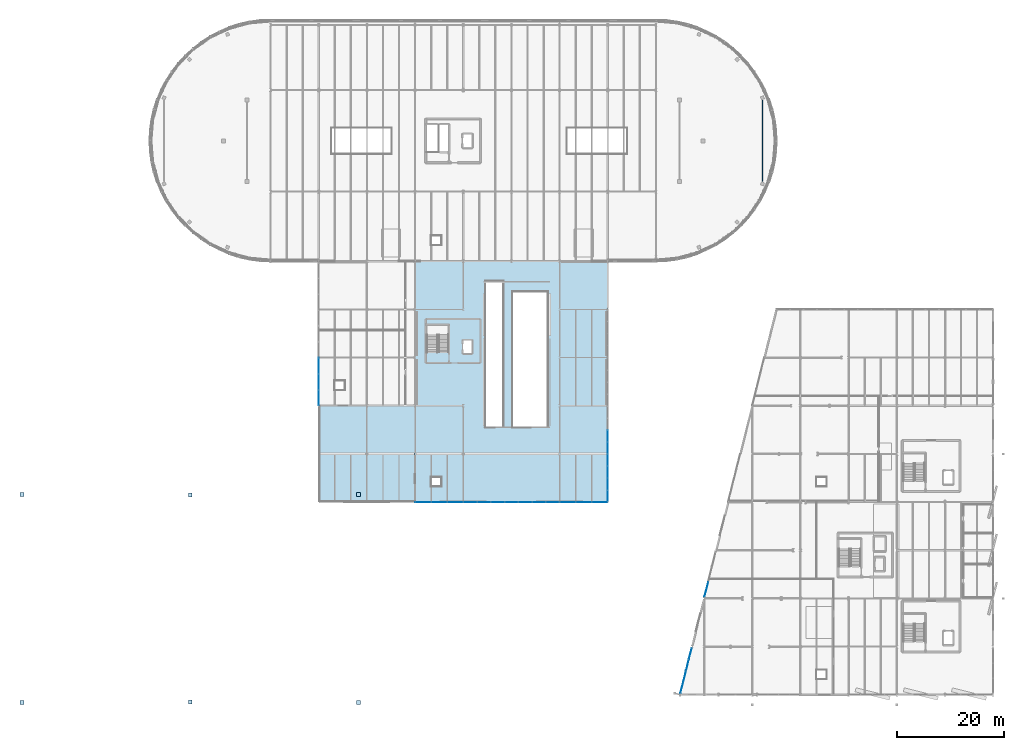
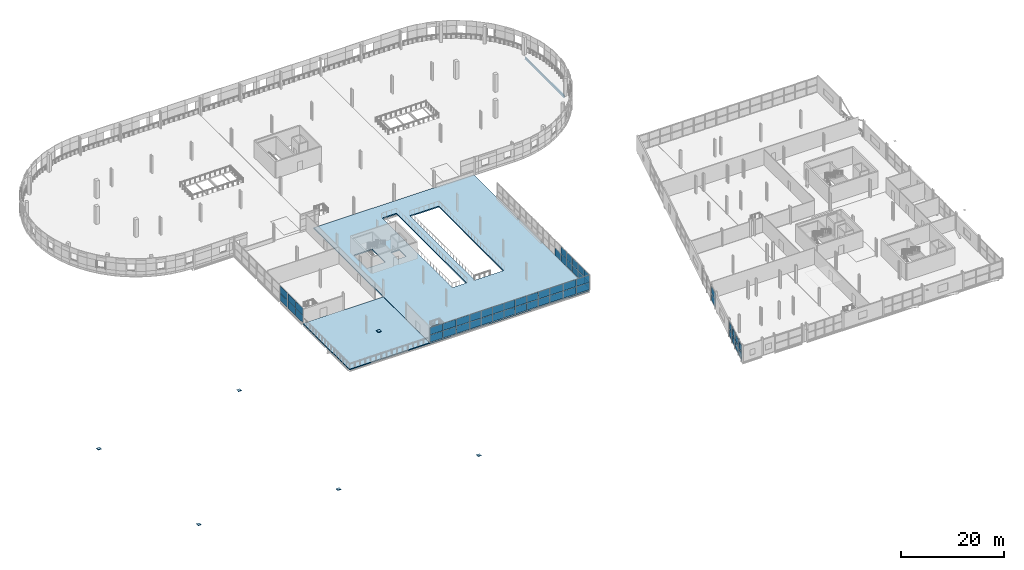
# One storey, part 64 of 88: 59 plates, 2 slabs, 1 beam, 8 elements without a shape of their own.
"""IFC4 building model written with IfcOpenShell, lengths in metres."""

from ifc_helpers import new_model, si_unit, direction, frame, origin, origin_2d, place, context, subcontext, project, spatial, polyline, rectangle, i_section, outline, extrude, material, layer, layer_set, material_profile, profile_set, type_object, element, aggregate, save


model = new_model("IFC4")

# Units and contexts
model_context = context("Model", 3, precision=1e-05, world=origin(), true_north=direction((0.0, 1.0)))
body_context = subcontext(model_context, "Body", "Model", "MODEL_VIEW")
ifc_project = project(units=[si_unit("LENGTHUNIT", "METRE"), si_unit("AREAUNIT", "SQUARE_METRE"), si_unit("VOLUMEUNIT", "CUBIC_METRE"), si_unit("PLANEANGLEUNIT", "RADIAN"), si_unit("MASSUNIT", "GRAM", prefix="KILO")], contexts=[model_context])

# Site, building, storey
site_placement = place(None, origin())
site = spatial("IfcSite", under=ifc_project, at=site_placement, CompositionType="ELEMENT")
building_placement = place(site_placement, origin())
building = spatial("IfcBuilding", under=site, at=building_placement, Name="Deido Ridge Mobility Hub", CompositionType="ELEMENT")
storey_placement = place(building_placement, frame((0.0, 0.0, 16.800048828125)))
storey = spatial("IfcBuildingStorey", under=building, at=storey_placement, Name="L04", CompositionType="ELEMENT", Elevation=16.800048828125)

# Beam
ifc_material_1 = material(Name="Steel S355J2 EN 10025-2", Category="steel")
ifc_material_profile = material_profile(ifc_material_1, i_section(OverallWidth=0.219970703125, OverallDepth=0.60009765625, WebThickness=0.011962890625, FlangeThickness=0.01904296875, FilletRadius=0.02392578125, at=origin_2d()), Name="IPE 600")
ifc_profile_set = profile_set([ifc_material_profile], Name="Steel S355J2 EN 10025-2")
beam_type = type_object("IfcBeamType", Name="BM-IPE600", PredefinedType="BEAM", material=ifc_profile_set)
beam_placement = place(storey_placement, frame((136.889892578125, 95.8505859375, -0.574951171875), z_axis=(0.0, 1.0, 0.0), x_axis=(-1.0, 0.0, 0.0)))
element("IfcBeam", 1, at=beam_placement, inside=storey, type_object=beam_type, Name="Floor beam B1", PredefinedType="BEAM", context=body_context, shape_type="SweptSolid", body=[
    extrude(i_section(OverallWidth=0.219970703125, OverallDepth=0.60009765625, WebThickness=0.011962890625, FlangeThickness=0.01904296875, FilletRadius=0.02392578125, at=origin_2d()), origin(), (0.0, 0.0, 1.0), 15.298828125),
])

# Plates
ifc_layer_1 = layer(ifc_material_1, 0.030029296875, Name="Steel S355J2 EN 10025-2")
ifc_layer_set_1 = layer_set([ifc_layer_1], Name="Steel S355J2 EN 10025-2")
plate_type_1 = type_object("IfcPlateType", Name="PLT-CAP-30", PredefinedType="USERDEFINED", material=ifc_layer_set_1)
for number, where, z_axis, x_axis, name in (
    (2, (-1.449951171875, -1.449951171875, 5.2998046875), (0.0, 0.0, 1.0), (1.0, 0.0, 0.0), "Roof mast M1 head cap plate"),
    (3, (61.449951171875, -1.449951171875, -0.30029296875), (0.0, 0.0, 1.0), (1.0, 0.0, 0.0), "Roof mast M2 head cap plate"),
    (4, (61.449951171875, 37.449951171875, 5.60009765625), (0.0, 0.0, 1.0), (1.0, 0.0, 0.0), "Roof mast M3 head cap plate"),
    (5, (-1.449951171875, 37.449951171875, -0.30029296875), (0.0, 0.0, 1.0), (1.0, 0.0, 0.0), "Roof mast M4 head cap plate"),
    (6, (30.0, -1.35009765625, 2.60009765625), (0.0, 0.0, 1.0), (1.0, 0.0, 0.0), "Roof mast M5 head cap plate"),
    (7, (30.0, 37.35009765625, 2.60009765625), (0.0, 0.0, 1.0), (1.0, 0.0, 0.0), "Roof mast M6 head cap plate"),
):
    element("IfcPlate", number, at=place(storey_placement, frame(where, z_axis=z_axis, x_axis=x_axis)), inside=storey, type_object=plate_type_1, Name=name, ObjectType="END CAP PLATE", PredefinedType="USERDEFINED", context=body_context, shape_type="SweptSolid", body=[
        extrude(rectangle(XDim=0.719970703125, YDim=0.719970703125, at=origin_2d()), origin(), (0.0, 0.0, 1.0), 0.030029296875),
    ])

# Curtain wall, plates
ifc_material_2 = material(Name="Anodised aluminium EN AW-6063 T6", Category="aluminium")
ifc_layer_2 = layer(ifc_material_2, 0.179931640625, Name="Anodised aluminium EN AW-6063 T6")
ifc_layer_set_2 = layer_set([ifc_layer_2], Name="Anodised aluminium EN AW-6063 T6")
curtain_wall_type_1 = type_object("IfcCurtainWallType", Name="CW-UF-2", PredefinedType="USERDEFINED", material=ifc_layer_set_2)
curtain_wall_1_placement = place(storey_placement, origin())
curtain_wall_1 = element("IfcCurtainWall", 8, at=curtain_wall_1_placement, inside=storey, type_object=curtain_wall_type_1, Name="Unitised curtain wall CW2", ObjectType="UNITISED FACADE", PredefinedType="USERDEFINED")
ifc_material_3 = material(Name="Laminated solar-control low-E glass", Category="glass")
ifc_layer_3 = layer(ifc_material_3, 0.02587890625, Name="Laminated solar-control low-E glass")
ifc_layer_set_3 = layer_set([ifc_layer_3], Name="Laminated solar-control low-E glass")
plate_type_2 = type_object("IfcPlateType", Name="PLT-CWP-26", PredefinedType="CURTAIN_PANEL", material=ifc_layer_set_3)
plate_1_placement = place(storey_placement, frame((121.83056640625, 1.322509765625, 0.0498046875), z_axis=(0.0, 0.0, 1.0), x_axis=(0.242530257651, 0.970143841976, 0.0)))
plate_1 = element("IfcPlate", 9, at=plate_1_placement, type_object=plate_type_2, Name="CW2 panel 1.1", PredefinedType="CURTAIN_PANEL", context=body_context, shape_type="SweptSolid", body=[
    extrude(rectangle(XDim=2.116943359375, YDim=0.02587890625, at=origin_2d()), origin(), (0.0, 0.0, 1.0), 1.72509765625),
])
plate_2_placement = place(storey_placement, frame((121.83056640625, 1.322509765625, 1.824951171875), z_axis=(0.0, 0.0, 1.0), x_axis=(0.242530257651, 0.970143841976, 0.0)))
plate_2 = element("IfcPlate", 10, at=plate_2_placement, type_object=plate_type_2, Name="CW2 panel 1.2", PredefinedType="CURTAIN_PANEL", context=body_context, shape_type="SweptSolid", body=[
    extrude(rectangle(XDim=2.116943359375, YDim=0.02587890625, at=origin_2d()), origin(), (0.0, 0.0, 1.0), 1.72509765625),
])
plate_3_placement = place(storey_placement, frame((122.359130859375, 3.436767578125, 0.0498046875), z_axis=(0.0, 0.0, 1.0), x_axis=(0.242530257651, 0.970143841976, 0.0)))
plate_3 = element("IfcPlate", 11, at=plate_3_placement, type_object=plate_type_2, Name="CW2 panel 2.1", PredefinedType="CURTAIN_PANEL", context=body_context, shape_type="SweptSolid", body=[
    extrude(rectangle(XDim=2.141845703125, YDim=0.02587890625, at=origin_2d()), origin(), (0.0, 0.0, 1.0), 1.72509765625),
])
plate_4_placement = place(storey_placement, frame((122.359130859375, 3.436767578125, 1.824951171875), z_axis=(0.0, 0.0, 1.0), x_axis=(0.242530257651, 0.970143841976, 0.0)))
plate_4 = element("IfcPlate", 12, at=plate_4_placement, type_object=plate_type_2, Name="CW2 panel 2.2", PredefinedType="CURTAIN_PANEL", context=body_context, shape_type="SweptSolid", body=[
    extrude(rectangle(XDim=2.141845703125, YDim=0.02587890625, at=origin_2d()), origin(), (0.0, 0.0, 1.0), 1.72509765625),
])
plate_5_placement = place(storey_placement, frame((122.890869140625, 5.563232421875, 0.0498046875), z_axis=(0.0, 0.0, 1.0), x_axis=(0.242530257651, 0.970143841976, 0.0)))
plate_5 = element("IfcPlate", 13, at=plate_5_placement, type_object=plate_type_2, Name="CW2 panel 3.1", PredefinedType="CURTAIN_PANEL", context=body_context, shape_type="SweptSolid", body=[
    extrude(rectangle(XDim=2.141845703125, YDim=0.02587890625, at=origin_2d()), origin(), (0.0, 0.0, 1.0), 1.72509765625),
])
plate_6_placement = place(storey_placement, frame((122.890869140625, 5.563232421875, 1.824951171875), z_axis=(0.0, 0.0, 1.0), x_axis=(0.242530257651, 0.970143841976, 0.0)))
plate_6 = element("IfcPlate", 14, at=plate_6_placement, type_object=plate_type_2, Name="CW2 panel 3.2", PredefinedType="CURTAIN_PANEL", context=body_context, shape_type="SweptSolid", body=[
    extrude(rectangle(XDim=2.141845703125, YDim=0.02587890625, at=origin_2d()), origin(), (0.0, 0.0, 1.0), 1.72509765625),
])
plate_7_placement = place(storey_placement, frame((123.41943359375, 7.677490234375, 0.0498046875), z_axis=(0.0, 0.0, 1.0), x_axis=(0.242530257651, 0.970143841976, 0.0)))
plate_7 = element("IfcPlate", 15, at=plate_7_placement, type_object=plate_type_2, Name="CW2 panel 4.1", PredefinedType="CURTAIN_PANEL", context=body_context, shape_type="SweptSolid", body=[
    extrude(rectangle(XDim=2.116943359375, YDim=0.02587890625, at=origin_2d()), origin(), (0.0, 0.0, 1.0), 1.72509765625),
])
plate_8_placement = place(storey_placement, frame((123.41943359375, 7.677490234375, 1.824951171875), z_axis=(0.0, 0.0, 1.0), x_axis=(0.242530257651, 0.970143841976, 0.0)))
plate_8 = element("IfcPlate", 16, at=plate_8_placement, type_object=plate_type_2, Name="CW2 panel 4.2", PredefinedType="CURTAIN_PANEL", context=body_context, shape_type="SweptSolid", body=[
    extrude(rectangle(XDim=2.116943359375, YDim=0.02587890625, at=origin_2d()), origin(), (0.0, 0.0, 1.0), 1.72509765625),
])
aggregate(curtain_wall_1, [plate_1, plate_2, plate_3, plate_4, plate_5, plate_6, plate_7, plate_8])

ifc_layer_4 = layer(ifc_material_2, 0.2099609375, Name="Anodised aluminium EN AW-6063 T6")
ifc_layer_set_4 = layer_set([ifc_layer_4], Name="Anodised aluminium EN AW-6063 T6")
curtain_wall_type_2 = type_object("IfcCurtainWallType", Name="CW-UF-4", PredefinedType="USERDEFINED", material=ifc_layer_set_4)
curtain_wall_2_placement = place(storey_placement, origin())
curtain_wall_2 = element("IfcCurtainWall", 17, at=curtain_wall_2_placement, inside=storey, type_object=curtain_wall_type_2, Name="Unitised curtain wall CW4", ObjectType="UNITISED FACADE", PredefinedType="USERDEFINED")
ifc_layer_5 = layer(ifc_material_3, 0.031005859375, Name="Laminated solar-control low-E glass")
ifc_layer_set_5 = layer_set([ifc_layer_5], Name="Laminated solar-control low-E glass")
plate_type_3 = type_object("IfcPlateType", Name="PLT-CWP-31", PredefinedType="CURTAIN_PANEL", material=ifc_layer_set_5)
plate_9_placement = place(storey_placement, frame((126.416748046875, 19.66650390625, 0.06005859375), z_axis=(0.0, 0.0, 1.0), x_axis=(0.242530267235, 0.97014383958, 0.0)))
plate_9 = element("IfcPlate", 18, at=plate_9_placement, type_object=plate_type_3, Name="CW4 panel 1.1", PredefinedType="CURTAIN_PANEL", context=body_context, shape_type="SweptSolid", body=[
    extrude(rectangle(XDim=2.837646484375, YDim=0.031005859375, at=origin_2d()), origin(), (0.0, 0.0, 1.0), 1.652587890625),
])
plate_10_placement = place(storey_placement, frame((126.416748046875, 19.66650390625, 1.7724609375), z_axis=(0.0, 0.0, 1.0), x_axis=(0.242530267235, 0.97014383958, 0.0)))
plate_10 = element("IfcPlate", 19, at=plate_10_placement, type_object=plate_type_3, Name="CW4 panel 1.2", PredefinedType="CURTAIN_PANEL", context=body_context, shape_type="SweptSolid", body=[
    extrude(rectangle(XDim=2.837646484375, YDim=0.031005859375, at=origin_2d()), origin(), (0.0, 0.0, 1.0), 1.652587890625),
])
aggregate(curtain_wall_2, [plate_9, plate_10])

curtain_wall_3_placement = place(storey_placement, origin())
curtain_wall_3 = element("IfcCurtainWall", 20, at=curtain_wall_3_placement, inside=storey, type_object=curtain_wall_type_2, Name="Unitised curtain wall CW4", ObjectType="UNITISED FACADE", PredefinedType="USERDEFINED")
ifc_layer_6 = layer(ifc_material_3, 0.032958984375, Name="Laminated solar-control low-E glass")
ifc_layer_set_6 = layer_set([ifc_layer_6], Name="Laminated solar-control low-E glass")
plate_type_4 = type_object("IfcPlateType", Name="PLT-CWP-33", PredefinedType="CURTAIN_PANEL", material=ifc_layer_set_6)
plate_11_placement = place(storey_placement, frame((108.0, 37.141357421875, 0.06494140625), z_axis=(0.0, 0.0, 1.0), x_axis=(0.0, 1.0, 0.0)))
plate_11 = element("IfcPlate", 21, at=plate_11_placement, type_object=plate_type_4, Name="CW4 panel 1.1", PredefinedType="CURTAIN_PANEL", context=body_context, shape_type="SweptSolid", body=[
    extrude(rectangle(XDim=2.152587890625, YDim=0.032958984375, at=origin_2d()), origin(), (0.0, 0.0, 1.0), 1.702392578125),
])
plate_12_placement = place(storey_placement, frame((108.0, 37.141357421875, 1.83251953125), z_axis=(0.0, 0.0, 1.0), x_axis=(0.0, 1.0, 0.0)))
plate_12 = element("IfcPlate", 22, at=plate_12_placement, type_object=plate_type_4, Name="CW4 panel 1.2", PredefinedType="CURTAIN_PANEL", context=body_context, shape_type="SweptSolid", body=[
    extrude(rectangle(XDim=2.152587890625, YDim=0.032958984375, at=origin_2d()), origin(), (0.0, 0.0, 1.0), 1.702392578125),
])
plate_13_placement = place(storey_placement, frame((108.0, 39.375, 0.06494140625), z_axis=(0.0, 0.0, 1.0), x_axis=(0.0, 1.0, 0.0)))
plate_13 = element("IfcPlate", 23, at=plate_13_placement, type_object=plate_type_4, Name="CW4 panel 2.1", PredefinedType="CURTAIN_PANEL", context=body_context, shape_type="SweptSolid", body=[
    extrude(rectangle(XDim=2.18505859375, YDim=0.032958984375, at=origin_2d()), origin(), (0.0, 0.0, 1.0), 1.702392578125),
])
plate_14_placement = place(storey_placement, frame((108.0, 39.375, 1.83251953125), z_axis=(0.0, 0.0, 1.0), x_axis=(0.0, 1.0, 0.0)))
plate_14 = element("IfcPlate", 24, at=plate_14_placement, type_object=plate_type_4, Name="CW4 panel 2.2", PredefinedType="CURTAIN_PANEL", context=body_context, shape_type="SweptSolid", body=[
    extrude(rectangle(XDim=2.18505859375, YDim=0.032958984375, at=origin_2d()), origin(), (0.0, 0.0, 1.0), 1.702392578125),
])
plate_15_placement = place(storey_placement, frame((108.0, 41.625, 0.06494140625), z_axis=(0.0, 0.0, 1.0), x_axis=(0.0, 1.0, 0.0)))
plate_15 = element("IfcPlate", 25, at=plate_15_placement, type_object=plate_type_4, Name="CW4 panel 3.1", PredefinedType="CURTAIN_PANEL", context=body_context, shape_type="SweptSolid", body=[
    extrude(rectangle(XDim=2.18505859375, YDim=0.032958984375, at=origin_2d()), origin(), (0.0, 0.0, 1.0), 1.702392578125),
])
plate_16_placement = place(storey_placement, frame((108.0, 41.625, 1.83251953125), z_axis=(0.0, 0.0, 1.0), x_axis=(0.0, 1.0, 0.0)))
plate_16 = element("IfcPlate", 26, at=plate_16_placement, type_object=plate_type_4, Name="CW4 panel 3.2", PredefinedType="CURTAIN_PANEL", context=body_context, shape_type="SweptSolid", body=[
    extrude(rectangle(XDim=2.18505859375, YDim=0.032958984375, at=origin_2d()), origin(), (0.0, 0.0, 1.0), 1.702392578125),
])
plate_17_placement = place(storey_placement, frame((108.0, 43.858642578125, 0.06494140625), z_axis=(0.0, 0.0, 1.0), x_axis=(0.0, 1.0, 0.0)))
plate_17 = element("IfcPlate", 27, at=plate_17_placement, type_object=plate_type_4, Name="CW4 panel 4.1", PredefinedType="CURTAIN_PANEL", context=body_context, shape_type="SweptSolid", body=[
    extrude(rectangle(XDim=2.152587890625, YDim=0.032958984375, at=origin_2d()), origin(), (0.0, 0.0, 1.0), 1.702392578125),
])
plate_18_placement = place(storey_placement, frame((108.0, 43.858642578125, 1.83251953125), z_axis=(0.0, 0.0, 1.0), x_axis=(0.0, 1.0, 0.0)))
plate_18 = element("IfcPlate", 28, at=plate_18_placement, type_object=plate_type_4, Name="CW4 panel 4.2", PredefinedType="CURTAIN_PANEL", context=body_context, shape_type="SweptSolid", body=[
    extrude(rectangle(XDim=2.152587890625, YDim=0.032958984375, at=origin_2d()), origin(), (0.0, 0.0, 1.0), 1.702392578125),
])
aggregate(curtain_wall_3, [plate_11, plate_12, plate_13, plate_14, plate_15, plate_16, plate_17, plate_18])

curtain_wall_4_placement = place(storey_placement, origin())
curtain_wall_4 = element("IfcCurtainWall", 29, at=curtain_wall_4_placement, inside=storey, type_object=curtain_wall_type_2, Name="Unitised curtain wall CW4", ObjectType="UNITISED FACADE", PredefinedType="USERDEFINED")
plate_19_placement = place(storey_placement, frame((108.0, 46.141357421875, 0.06494140625), z_axis=(0.0, 0.0, 1.0), x_axis=(0.0, 1.0, 0.0)))
plate_19 = element("IfcPlate", 30, at=plate_19_placement, type_object=plate_type_4, Name="CW4 panel 1.1", PredefinedType="CURTAIN_PANEL", context=body_context, shape_type="SweptSolid", body=[
    extrude(rectangle(XDim=2.152587890625, YDim=0.032958984375, at=origin_2d()), origin(), (0.0, 0.0, 1.0), 1.702392578125),
])
plate_20_placement = place(storey_placement, frame((108.0, 46.141357421875, 1.83251953125), z_axis=(0.0, 0.0, 1.0), x_axis=(0.0, 1.0, 0.0)))
plate_20 = element("IfcPlate", 31, at=plate_20_placement, type_object=plate_type_4, Name="CW4 panel 1.2", PredefinedType="CURTAIN_PANEL", context=body_context, shape_type="SweptSolid", body=[
    extrude(rectangle(XDim=2.152587890625, YDim=0.032958984375, at=origin_2d()), origin(), (0.0, 0.0, 1.0), 1.702392578125),
])
plate_21_placement = place(storey_placement, frame((108.0, 48.375, 0.06494140625), z_axis=(0.0, 0.0, 1.0), x_axis=(0.0, 1.0, 0.0)))
plate_21 = element("IfcPlate", 32, at=plate_21_placement, type_object=plate_type_4, Name="CW4 panel 2.1", PredefinedType="CURTAIN_PANEL", context=body_context, shape_type="SweptSolid", body=[
    extrude(rectangle(XDim=2.18505859375, YDim=0.032958984375, at=origin_2d()), origin(), (0.0, 0.0, 1.0), 1.702392578125),
])
aggregate(curtain_wall_4, [plate_19, plate_20, plate_21])

ifc_layer_7 = layer(ifc_material_2, 0.22509765625, Name="Anodised aluminium EN AW-6063 T6")
ifc_layer_set_7 = layer_set([ifc_layer_7], Name="Anodised aluminium EN AW-6063 T6")
curtain_wall_type_3 = type_object("IfcCurtainWallType", Name="CW-UF-5", PredefinedType="USERDEFINED", material=ifc_layer_set_7)
curtain_wall_5_placement = place(storey_placement, origin())
curtain_wall_5 = element("IfcCurtainWall", 33, at=curtain_wall_5_placement, inside=storey, type_object=curtain_wall_type_3, Name="Unitised curtain wall CW5", ObjectType="UNITISED FACADE", PredefinedType="USERDEFINED")
ifc_layer_8 = layer(ifc_material_3, 0.034912109375, Name="Laminated solar-control low-E glass")
ifc_layer_set_8 = layer_set([ifc_layer_8], Name="Laminated solar-control low-E glass")
plate_type_5 = type_object("IfcPlateType", Name="PLT-CWP-35", PredefinedType="CURTAIN_PANEL", material=ifc_layer_set_8)
plate_22_placement = place(storey_placement, frame((73.517578125, 36.0, 0.06982421875), z_axis=(0.0, 0.0, 1.0), x_axis=(1.0, 0.0, 0.0)))
plate_22 = element("IfcPlate", 34, at=plate_22_placement, type_object=plate_type_5, Name="CW5 panel 1.1", PredefinedType="CURTAIN_PANEL", context=body_context, shape_type="SweptSolid", body=[
    extrude(rectangle(XDim=2.89501953125, YDim=0.034912109375, at=origin_2d()), origin(), (0.0, 0.0, 1.0), 1.695068359375),
])
plate_23_placement = place(storey_placement, frame((73.517578125, 36.0, 1.8349609375), z_axis=(0.0, 0.0, 1.0), x_axis=(1.0, 0.0, 0.0)))
plate_23 = element("IfcPlate", 35, at=plate_23_placement, type_object=plate_type_5, Name="CW5 panel 1.2", PredefinedType="CURTAIN_PANEL", context=body_context, shape_type="SweptSolid", body=[
    extrude(rectangle(XDim=2.89501953125, YDim=0.034912109375, at=origin_2d()), origin(), (0.0, 0.0, 1.0), 1.695068359375),
])
plate_24_placement = place(storey_placement, frame((76.5, 36.0, 0.06982421875), z_axis=(0.0, 0.0, 1.0), x_axis=(1.0, 0.0, 0.0)))
plate_24 = element("IfcPlate", 36, at=plate_24_placement, type_object=plate_type_5, Name="CW5 panel 2.1", PredefinedType="CURTAIN_PANEL", context=body_context, shape_type="SweptSolid", body=[
    extrude(rectangle(XDim=2.929931640625, YDim=0.034912109375, at=origin_2d()), origin(), (0.0, 0.0, 1.0), 1.695068359375),
])
plate_25_placement = place(storey_placement, frame((76.5, 36.0, 1.8349609375), z_axis=(0.0, 0.0, 1.0), x_axis=(1.0, 0.0, 0.0)))
plate_25 = element("IfcPlate", 37, at=plate_25_placement, type_object=plate_type_5, Name="CW5 panel 2.2", PredefinedType="CURTAIN_PANEL", context=body_context, shape_type="SweptSolid", body=[
    extrude(rectangle(XDim=2.929931640625, YDim=0.034912109375, at=origin_2d()), origin(), (0.0, 0.0, 1.0), 1.695068359375),
])
plate_26_placement = place(storey_placement, frame((79.482421875, 36.0, 0.06982421875), z_axis=(0.0, 0.0, 1.0), x_axis=(1.0, 0.0, 0.0)))
plate_26 = element("IfcPlate", 38, at=plate_26_placement, type_object=plate_type_5, Name="CW5 panel 3.1", PredefinedType="CURTAIN_PANEL", context=body_context, shape_type="SweptSolid", body=[
    extrude(rectangle(XDim=2.89501953125, YDim=0.034912109375, at=origin_2d()), origin(), (0.0, 0.0, 1.0), 1.695068359375),
])
plate_27_placement = place(storey_placement, frame((79.482421875, 36.0, 1.8349609375), z_axis=(0.0, 0.0, 1.0), x_axis=(1.0, 0.0, 0.0)))
plate_27 = element("IfcPlate", 39, at=plate_27_placement, type_object=plate_type_5, Name="CW5 panel 3.2", PredefinedType="CURTAIN_PANEL", context=body_context, shape_type="SweptSolid", body=[
    extrude(rectangle(XDim=2.89501953125, YDim=0.034912109375, at=origin_2d()), origin(), (0.0, 0.0, 1.0), 1.695068359375),
])
aggregate(curtain_wall_5, [plate_22, plate_23, plate_24, plate_25, plate_26, plate_27])

curtain_wall_6_placement = place(storey_placement, origin())
curtain_wall_6 = element("IfcCurtainWall", 40, at=curtain_wall_6_placement, inside=storey, type_object=curtain_wall_type_3, Name="Unitised curtain wall CW5", ObjectType="UNITISED FACADE", PredefinedType="USERDEFINED")
plate_28_placement = place(storey_placement, frame((82.30322265625, 36.0, 0.06982421875), z_axis=(0.0, 0.0, 1.0), x_axis=(1.0, 0.0, 0.0)))
plate_28 = element("IfcPlate", 41, at=plate_28_placement, type_object=plate_type_5, Name="CW5 panel 1.1", PredefinedType="CURTAIN_PANEL", context=body_context, shape_type="SweptSolid", body=[
    extrude(rectangle(XDim=2.46630859375, YDim=0.034912109375, at=origin_2d()), origin(), (0.0, 0.0, 1.0), 1.695068359375),
])
plate_29_placement = place(storey_placement, frame((82.30322265625, 36.0, 1.8349609375), z_axis=(0.0, 0.0, 1.0), x_axis=(1.0, 0.0, 0.0)))
plate_29 = element("IfcPlate", 42, at=plate_29_placement, type_object=plate_type_5, Name="CW5 panel 1.2", PredefinedType="CURTAIN_PANEL", context=body_context, shape_type="SweptSolid", body=[
    extrude(rectangle(XDim=2.46630859375, YDim=0.034912109375, at=origin_2d()), origin(), (0.0, 0.0, 1.0), 1.695068359375),
])
plate_30_placement = place(storey_placement, frame((84.857177734375, 36.0, 0.06982421875), z_axis=(0.0, 0.0, 1.0), x_axis=(1.0, 0.0, 0.0)))
plate_30 = element("IfcPlate", 43, at=plate_30_placement, type_object=plate_type_5, Name="CW5 panel 2.1", PredefinedType="CURTAIN_PANEL", context=body_context, shape_type="SweptSolid", body=[
    extrude(rectangle(XDim=2.50146484375, YDim=0.034912109375, at=origin_2d()), origin(), (0.0, 0.0, 1.0), 1.695068359375),
])
plate_31_placement = place(storey_placement, frame((84.857177734375, 36.0, 1.8349609375), z_axis=(0.0, 0.0, 1.0), x_axis=(1.0, 0.0, 0.0)))
plate_31 = element("IfcPlate", 44, at=plate_31_placement, type_object=plate_type_5, Name="CW5 panel 2.2", PredefinedType="CURTAIN_PANEL", context=body_context, shape_type="SweptSolid", body=[
    extrude(rectangle(XDim=2.50146484375, YDim=0.034912109375, at=origin_2d()), origin(), (0.0, 0.0, 1.0), 1.695068359375),
])
plate_32_placement = place(storey_placement, frame((87.428466796875, 36.0, 0.06982421875), z_axis=(0.0, 0.0, 1.0), x_axis=(1.0, 0.0, 0.0)))
plate_32 = element("IfcPlate", 45, at=plate_32_placement, type_object=plate_type_5, Name="CW5 panel 3.1", PredefinedType="CURTAIN_PANEL", context=body_context, shape_type="SweptSolid", body=[
    extrude(rectangle(XDim=2.50146484375, YDim=0.034912109375, at=origin_2d()), origin(), (0.0, 0.0, 1.0), 1.695068359375),
])
plate_33_placement = place(storey_placement, frame((87.428466796875, 36.0, 1.8349609375), z_axis=(0.0, 0.0, 1.0), x_axis=(1.0, 0.0, 0.0)))
plate_33 = element("IfcPlate", 46, at=plate_33_placement, type_object=plate_type_5, Name="CW5 panel 3.2", PredefinedType="CURTAIN_PANEL", context=body_context, shape_type="SweptSolid", body=[
    extrude(rectangle(XDim=2.50146484375, YDim=0.034912109375, at=origin_2d()), origin(), (0.0, 0.0, 1.0), 1.695068359375),
])
plate_34_placement = place(storey_placement, frame((90.0, 36.0, 0.06982421875), z_axis=(0.0, 0.0, 1.0), x_axis=(1.0, 0.0, 0.0)))
plate_34 = element("IfcPlate", 47, at=plate_34_placement, type_object=plate_type_5, Name="CW5 panel 4.1", PredefinedType="CURTAIN_PANEL", context=body_context, shape_type="SweptSolid", body=[
    extrude(rectangle(XDim=2.50146484375, YDim=0.034912109375, at=origin_2d()), origin(), (0.0, 0.0, 1.0), 1.695068359375),
])
plate_35_placement = place(storey_placement, frame((90.0, 36.0, 1.8349609375), z_axis=(0.0, 0.0, 1.0), x_axis=(1.0, 0.0, 0.0)))
plate_35 = element("IfcPlate", 48, at=plate_35_placement, type_object=plate_type_5, Name="CW5 panel 4.2", PredefinedType="CURTAIN_PANEL", context=body_context, shape_type="SweptSolid", body=[
    extrude(rectangle(XDim=2.50146484375, YDim=0.034912109375, at=origin_2d()), origin(), (0.0, 0.0, 1.0), 1.695068359375),
])
plate_36_placement = place(storey_placement, frame((92.571533203125, 36.0, 0.06982421875), z_axis=(0.0, 0.0, 1.0), x_axis=(1.0, 0.0, 0.0)))
plate_36 = element("IfcPlate", 49, at=plate_36_placement, type_object=plate_type_5, Name="CW5 panel 5.1", PredefinedType="CURTAIN_PANEL", context=body_context, shape_type="SweptSolid", body=[
    extrude(rectangle(XDim=2.50146484375, YDim=0.034912109375, at=origin_2d()), origin(), (0.0, 0.0, 1.0), 1.695068359375),
])
plate_37_placement = place(storey_placement, frame((92.571533203125, 36.0, 1.8349609375), z_axis=(0.0, 0.0, 1.0), x_axis=(1.0, 0.0, 0.0)))
plate_37 = element("IfcPlate", 50, at=plate_37_placement, type_object=plate_type_5, Name="CW5 panel 5.2", PredefinedType="CURTAIN_PANEL", context=body_context, shape_type="SweptSolid", body=[
    extrude(rectangle(XDim=2.50146484375, YDim=0.034912109375, at=origin_2d()), origin(), (0.0, 0.0, 1.0), 1.695068359375),
])
plate_38_placement = place(storey_placement, frame((95.142822265625, 36.0, 0.06982421875), z_axis=(0.0, 0.0, 1.0), x_axis=(1.0, 0.0, 0.0)))
plate_38 = element("IfcPlate", 51, at=plate_38_placement, type_object=plate_type_5, Name="CW5 panel 6.1", PredefinedType="CURTAIN_PANEL", context=body_context, shape_type="SweptSolid", body=[
    extrude(rectangle(XDim=2.50146484375, YDim=0.034912109375, at=origin_2d()), origin(), (0.0, 0.0, 1.0), 1.695068359375),
])
plate_39_placement = place(storey_placement, frame((95.142822265625, 36.0, 1.8349609375), z_axis=(0.0, 0.0, 1.0), x_axis=(1.0, 0.0, 0.0)))
plate_39 = element("IfcPlate", 52, at=plate_39_placement, type_object=plate_type_5, Name="CW5 panel 6.2", PredefinedType="CURTAIN_PANEL", context=body_context, shape_type="SweptSolid", body=[
    extrude(rectangle(XDim=2.50146484375, YDim=0.034912109375, at=origin_2d()), origin(), (0.0, 0.0, 1.0), 1.695068359375),
])
plate_40_placement = place(storey_placement, frame((97.69677734375, 36.0, 0.06982421875), z_axis=(0.0, 0.0, 1.0), x_axis=(1.0, 0.0, 0.0)))
plate_40 = element("IfcPlate", 53, at=plate_40_placement, type_object=plate_type_5, Name="CW5 panel 7.1", PredefinedType="CURTAIN_PANEL", context=body_context, shape_type="SweptSolid", body=[
    extrude(rectangle(XDim=2.46630859375, YDim=0.034912109375, at=origin_2d()), origin(), (0.0, 0.0, 1.0), 1.695068359375),
])
plate_41_placement = place(storey_placement, frame((97.69677734375, 36.0, 1.8349609375), z_axis=(0.0, 0.0, 1.0), x_axis=(1.0, 0.0, 0.0)))
plate_41 = element("IfcPlate", 54, at=plate_41_placement, type_object=plate_type_5, Name="CW5 panel 7.2", PredefinedType="CURTAIN_PANEL", context=body_context, shape_type="SweptSolid", body=[
    extrude(rectangle(XDim=2.46630859375, YDim=0.034912109375, at=origin_2d()), origin(), (0.0, 0.0, 1.0), 1.695068359375),
])
aggregate(curtain_wall_6, [plate_28, plate_29, plate_30, plate_31, plate_32, plate_33, plate_34, plate_35, plate_36, plate_37, plate_38, plate_39, plate_40, plate_41])

curtain_wall_7_placement = place(storey_placement, origin())
curtain_wall_7 = element("IfcCurtainWall", 55, at=curtain_wall_7_placement, inside=storey, type_object=curtain_wall_type_3, Name="Unitised curtain wall CW5", ObjectType="UNITISED FACADE", PredefinedType="USERDEFINED")
plate_42_placement = place(storey_placement, frame((100.517578125, 36.0, 0.06982421875), z_axis=(0.0, 0.0, 1.0), x_axis=(1.0, 0.0, 0.0)))
plate_42 = element("IfcPlate", 56, at=plate_42_placement, type_object=plate_type_5, Name="CW5 panel 1.1", PredefinedType="CURTAIN_PANEL", context=body_context, shape_type="SweptSolid", body=[
    extrude(rectangle(XDim=2.89501953125, YDim=0.034912109375, at=origin_2d()), origin(), (0.0, 0.0, 1.0), 1.695068359375),
])
plate_43_placement = place(storey_placement, frame((100.517578125, 36.0, 1.8349609375), z_axis=(0.0, 0.0, 1.0), x_axis=(1.0, 0.0, 0.0)))
plate_43 = element("IfcPlate", 57, at=plate_43_placement, type_object=plate_type_5, Name="CW5 panel 1.2", PredefinedType="CURTAIN_PANEL", context=body_context, shape_type="SweptSolid", body=[
    extrude(rectangle(XDim=2.89501953125, YDim=0.034912109375, at=origin_2d()), origin(), (0.0, 0.0, 1.0), 1.695068359375),
])
plate_44_placement = place(storey_placement, frame((103.5, 36.0, 0.06982421875), z_axis=(0.0, 0.0, 1.0), x_axis=(1.0, 0.0, 0.0)))
plate_44 = element("IfcPlate", 58, at=plate_44_placement, type_object=plate_type_5, Name="CW5 panel 2.1", PredefinedType="CURTAIN_PANEL", context=body_context, shape_type="SweptSolid", body=[
    extrude(rectangle(XDim=2.929931640625, YDim=0.034912109375, at=origin_2d()), origin(), (0.0, 0.0, 1.0), 1.695068359375),
])
plate_45_placement = place(storey_placement, frame((103.5, 36.0, 1.8349609375), z_axis=(0.0, 0.0, 1.0), x_axis=(1.0, 0.0, 0.0)))
plate_45 = element("IfcPlate", 59, at=plate_45_placement, type_object=plate_type_5, Name="CW5 panel 2.2", PredefinedType="CURTAIN_PANEL", context=body_context, shape_type="SweptSolid", body=[
    extrude(rectangle(XDim=2.929931640625, YDim=0.034912109375, at=origin_2d()), origin(), (0.0, 0.0, 1.0), 1.695068359375),
])
plate_46_placement = place(storey_placement, frame((106.482421875, 36.0, 0.06982421875), z_axis=(0.0, 0.0, 1.0), x_axis=(1.0, 0.0, 0.0)))
plate_46 = element("IfcPlate", 60, at=plate_46_placement, type_object=plate_type_5, Name="CW5 panel 3.1", PredefinedType="CURTAIN_PANEL", context=body_context, shape_type="SweptSolid", body=[
    extrude(rectangle(XDim=2.89501953125, YDim=0.034912109375, at=origin_2d()), origin(), (0.0, 0.0, 1.0), 1.695068359375),
])
plate_47_placement = place(storey_placement, frame((106.482421875, 36.0, 1.8349609375), z_axis=(0.0, 0.0, 1.0), x_axis=(1.0, 0.0, 0.0)))
plate_47 = element("IfcPlate", 61, at=plate_47_placement, type_object=plate_type_5, Name="CW5 panel 3.2", PredefinedType="CURTAIN_PANEL", context=body_context, shape_type="SweptSolid", body=[
    extrude(rectangle(XDim=2.89501953125, YDim=0.034912109375, at=origin_2d()), origin(), (0.0, 0.0, 1.0), 1.695068359375),
])
aggregate(curtain_wall_7, [plate_42, plate_43, plate_44, plate_45, plate_46, plate_47])

ifc_layer_9 = layer(ifc_material_2, 0.239990234375, Name="Anodised aluminium EN AW-6063 T6")
ifc_layer_set_9 = layer_set([ifc_layer_9], Name="Anodised aluminium EN AW-6063 T6")
curtain_wall_type_4 = type_object("IfcCurtainWallType", Name="CW-UF-6", PredefinedType="USERDEFINED", material=ifc_layer_set_9)
curtain_wall_8_placement = place(storey_placement, origin())
curtain_wall_8 = element("IfcCurtainWall", 62, at=curtain_wall_8_placement, inside=storey, type_object=curtain_wall_type_4, Name="Unitised curtain wall CW6", ObjectType="UNITISED FACADE", PredefinedType="USERDEFINED")
ifc_layer_10 = layer(ifc_material_3, 0.037109375, Name="Laminated solar-control low-E glass")
ifc_layer_set_10 = layer_set([ifc_layer_10], Name="Laminated solar-control low-E glass")
plate_type_6 = type_object("IfcPlateType", Name="PLT-CWP-37", PredefinedType="CURTAIN_PANEL", material=ifc_layer_set_10)
plate_48_placement = place(storey_placement, frame((54.0, 55.518798828125, 0.074951171875), z_axis=(0.0, 0.0, 1.0), x_axis=(0.0, 1.0, 0.0)))
plate_48 = element("IfcPlate", 63, at=plate_48_placement, type_object=plate_type_6, Name="CW6 panel 1.1", PredefinedType="CURTAIN_PANEL", context=body_context, shape_type="SweptSolid", body=[
    extrude(rectangle(XDim=2.887451171875, YDim=0.037109375, at=origin_2d()), origin(), (0.0, 0.0, 1.0), 1.6875),
])
plate_49_placement = place(storey_placement, frame((54.0, 55.518798828125, 1.83740234375), z_axis=(0.0, 0.0, 1.0), x_axis=(0.0, 1.0, 0.0)))
plate_49 = element("IfcPlate", 64, at=plate_49_placement, type_object=plate_type_6, Name="CW6 panel 1.2", PredefinedType="CURTAIN_PANEL", context=body_context, shape_type="SweptSolid", body=[
    extrude(rectangle(XDim=2.887451171875, YDim=0.037109375, at=origin_2d()), origin(), (0.0, 0.0, 1.0), 1.6875),
])
plate_50_placement = place(storey_placement, frame((54.0, 58.5, 0.074951171875), z_axis=(0.0, 0.0, 1.0), x_axis=(0.0, 1.0, 0.0)))
plate_50 = element("IfcPlate", 65, at=plate_50_placement, type_object=plate_type_6, Name="CW6 panel 2.1", PredefinedType="CURTAIN_PANEL", context=body_context, shape_type="SweptSolid", body=[
    extrude(rectangle(XDim=2.925048828125, YDim=0.037109375, at=origin_2d()), origin(), (0.0, 0.0, 1.0), 1.6875),
])
plate_51_placement = place(storey_placement, frame((54.0, 58.5, 1.83740234375), z_axis=(0.0, 0.0, 1.0), x_axis=(0.0, 1.0, 0.0)))
plate_51 = element("IfcPlate", 66, at=plate_51_placement, type_object=plate_type_6, Name="CW6 panel 2.2", PredefinedType="CURTAIN_PANEL", context=body_context, shape_type="SweptSolid", body=[
    extrude(rectangle(XDim=2.925048828125, YDim=0.037109375, at=origin_2d()), origin(), (0.0, 0.0, 1.0), 1.6875),
])
plate_52_placement = place(storey_placement, frame((54.0, 61.481201171875, 0.074951171875), z_axis=(0.0, 0.0, 1.0), x_axis=(0.0, 1.0, 0.0)))
plate_52 = element("IfcPlate", 67, at=plate_52_placement, type_object=plate_type_6, Name="CW6 panel 3.1", PredefinedType="CURTAIN_PANEL", context=body_context, shape_type="SweptSolid", body=[
    extrude(rectangle(XDim=2.887451171875, YDim=0.037109375, at=origin_2d()), origin(), (0.0, 0.0, 1.0), 1.6875),
])
plate_53_placement = place(storey_placement, frame((54.0, 61.481201171875, 1.83740234375), z_axis=(0.0, 0.0, 1.0), x_axis=(0.0, 1.0, 0.0)))
plate_53 = element("IfcPlate", 68, at=plate_53_placement, type_object=plate_type_6, Name="CW6 panel 3.2", PredefinedType="CURTAIN_PANEL", context=body_context, shape_type="SweptSolid", body=[
    extrude(rectangle(XDim=2.887451171875, YDim=0.037109375, at=origin_2d()), origin(), (0.0, 0.0, 1.0), 1.6875),
])
aggregate(curtain_wall_8, [plate_48, plate_49, plate_50, plate_51, plate_52, plate_53])

# Slabs
ifc_material_4 = material(Name="Concrete C35/45", Category="concrete")
ifc_layer_11 = layer(ifc_material_4, 0.239990234375, Name="Concrete C35/45")
ifc_layer_set_11 = layer_set([ifc_layer_11], Name="Concrete C35/45")
slab_type_1 = type_object("IfcSlabType", Name="SLB-EXT-240", PredefinedType="FLOOR", material=ifc_layer_set_11)
slab_1_placement = place(storey_placement, frame((0.0, 0.0, -0.239990234375)))
element("IfcSlab", 69, at=slab_1_placement, inside=storey, type_object=slab_type_1, Name="Outdoor Multi-Sport Court Deck", PredefinedType="FLOOR", context=body_context, shape_type="SweptSolid", body=[
    extrude(outline(polyline([(54.0, 36.0), (72.0, 36.0), (72.0, 54.0), (54.0, 54.0), (54.0, 36.0)])), origin(), (0.0, 0.0, 1.0), 0.239990234375),
])
ifc_layer_12 = layer(ifc_material_4, 0.27490234375, Name="Concrete C35/45")
ifc_layer_set_12 = layer_set([ifc_layer_12], Name="Concrete C35/45")
slab_type_2 = type_object("IfcSlabType", Name="SLB-FLR-275", PredefinedType="FLOOR", material=ifc_layer_set_12)
slab_2_placement = place(storey_placement, frame((0.0, 0.0, -0.275146484375)))
element("IfcSlab", 70, at=slab_2_placement, inside=storey, type_object=slab_type_2, Name="L04 V3 structural deck 53", PredefinedType="FLOOR", context=body_context, shape_type="SweptSolid", body=[
    extrude(outline(polyline([(108.0, 36.0), (72.02490234375, 36.0), (72.02490234375, 81.10009765625), (108.0, 81.10009765625), (108.0, 36.0)]), holes=[polyline([(76.824951171875, 39.0), (75.02490234375, 39.0), (75.02490234375, 40.60009765625), (76.824951171875, 40.60009765625), (76.824951171875, 39.0)]), polyline([(90.25, 50.0), (90.25, 75.25), (96.75, 75.25), (96.75, 50.0), (90.25, 50.0)]), polyline([(85.199951171875, 50.0), (85.199951171875, 77.25), (88.39990234375, 77.25), (88.39990234375, 50.0), (85.199951171875, 50.0)]), polyline([(80.85009765625, 63.64990234375), (80.85009765625, 66.35009765625), (82.75, 66.35009765625), (82.75, 63.64990234375), (80.85009765625, 63.64990234375)]), polyline([(74.139892578125, 64.0), (74.139892578125, 69.10009765625), (78.239990234375, 69.10009765625), (78.239990234375, 64.0), (74.139892578125, 64.0)])]), origin(), (0.0, 0.0, 1.0), 0.275146484375),
])

save(model, "model.ifc")
